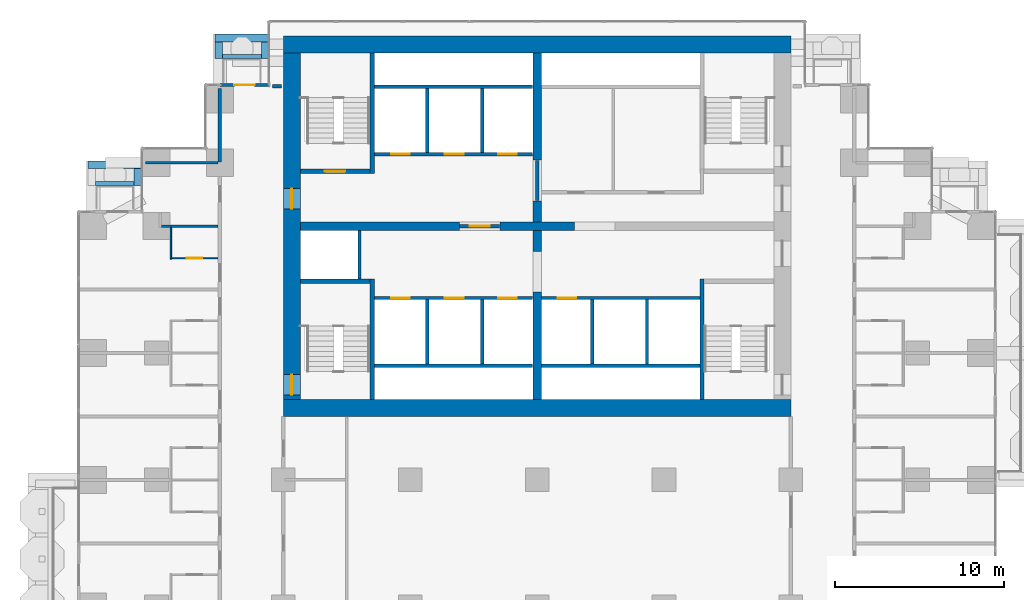
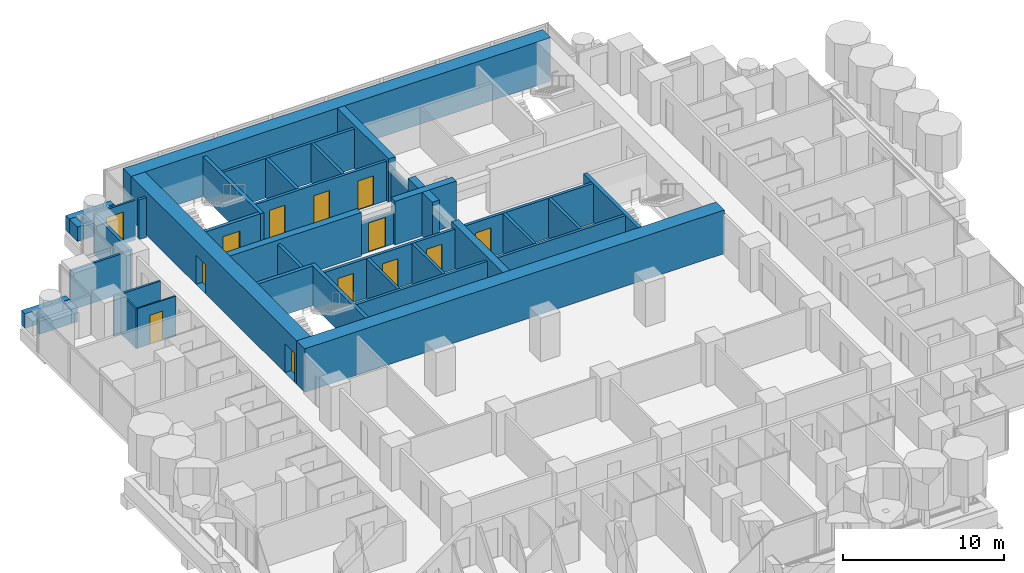
# One storey, part 14 of 19: 43 walls, 13 doors, 13 openings.
"""IFC4 building model written with IfcOpenShell, lengths in metres."""

from ifc_helpers import new_model, si_unit, direction, frame, frame_2d, origin, place, context, subcontext, project, spatial, rectangle, extrude, material, layer, layer_set, type_object, element, fill, save


model = new_model("IFC4")

# Units and contexts
model_context = context("Model", 3, precision=1e-05, world=origin(), true_north=direction((0.0, 1.0)))
body_context = subcontext(model_context, "Body", "Model", "MODEL_VIEW")
ifc_project = project(units=[si_unit("LENGTHUNIT", "METRE"), si_unit("AREAUNIT", "SQUARE_METRE"), si_unit("VOLUMEUNIT", "CUBIC_METRE"), si_unit("PLANEANGLEUNIT", "RADIAN"), si_unit("MASSUNIT", "GRAM", prefix="KILO")], contexts=[model_context])

# Site, building, storey
site_placement = place(None, origin())
site = spatial("IfcSite", under=ifc_project, at=site_placement, CompositionType="ELEMENT")
building_placement = place(site_placement, origin())
building = spatial("IfcBuilding", under=site, at=building_placement, Name="Pilkhan Gate Tower", CompositionType="ELEMENT")
storey_placement = place(building_placement, frame((0.0, 0.0, 46.10009765625)))
storey = spatial("IfcBuildingStorey", under=building, at=storey_placement, Name="L08", CompositionType="ELEMENT", Elevation=46.10009765625)

# Walls
ifc_material_1 = material(Name="Concrete C40/50", Category="concrete")
ifc_layer_1 = layer(ifc_material_1, 0.25)
ifc_layer_set_1 = layer_set([ifc_layer_1], Name="Balcony planter BP250")
wall_type_1 = type_object("IfcWallType", Name="Balcony planter BP250", PredefinedType="USERDEFINED", material=ifc_layer_set_1)
wall_1_placement = place(storey_placement, frame((56.39990234375, 92.52490234375, 0.0), z_axis=(0.0, 0.0, 1.0), x_axis=(1.0, 0.0, 0.0)))
element("IfcWall", 1, at=wall_1_placement, inside=storey, type_object=wall_type_1, Name="Balcony planter L08 N", ObjectType="BALCONY PLANTER", PredefinedType="USERDEFINED", context=body_context, shape_type="SweptSolid", body=[
    extrude(rectangle(XDim=2.300048828125, YDim=0.25, at=frame_2d((1.14990234375, 0.0))), origin(), (0.0, 0.0, 1.0), 1.0),
])
wall_2_placement = place(storey_placement, frame((48.89990234375, 85.02490234375, 0.0), z_axis=(0.0, 0.0, 1.0), x_axis=(1.0, 0.0, 0.0)))
element("IfcWall", 2, at=wall_2_placement, inside=storey, type_object=wall_type_1, Name="Balcony planter L08 N", ObjectType="BALCONY PLANTER", PredefinedType="USERDEFINED", context=body_context, shape_type="SweptSolid", body=[
    extrude(rectangle(XDim=2.280029296875, YDim=0.25, at=frame_2d((1.14013671875, 0.0))), origin(), (0.0, 0.0, 1.0), 1.0),
])
ifc_material_2 = material(Name="Board-marked Concrete C40/50", Category="concrete")
ifc_layer_2 = layer(ifc_material_2, 0.449951171875)
ifc_layer_set_2 = layer_set([ifc_layer_2], Name="Balcony planter lip BL450")
wall_type_2 = type_object("IfcWallType", Name="Balcony planter lip BL450", PredefinedType="USERDEFINED", material=ifc_layer_set_2)
wall_3_placement = place(storey_placement, frame((55.949951171875, 93.625, 0.0), z_axis=(0.0, 0.0, 1.0), x_axis=(1.0, 0.0, 0.0)))
element("IfcWall", 3, at=wall_3_placement, inside=storey, type_object=wall_type_2, Name="Balcony planter L08 N", ObjectType="BALCONY PLANTER", PredefinedType="USERDEFINED", context=body_context, shape_type="SweptSolid", body=[
    extrude(rectangle(XDim=3.199951171875, YDim=0.449951171875, at=frame_2d((1.60009765625, 0.0))), origin(), (0.0, 0.0, 1.0), 1.099853515625),
])
for number, where, z_axis, x_axis, name in (
    (4, (56.175048828125, 92.39990234375, 0.0), (0.0, 0.0, 1.0), (0.0, 1.0, 0.0), "Balcony planter L08 N"),
    (5, (58.925048828125, 92.39990234375, 0.0), (0.0, 0.0, 1.0), (0.0, 1.0, 0.0), "Balcony planter L08 N"),
):
    element("IfcWall", number, at=place(storey_placement, frame(where, z_axis=z_axis, x_axis=x_axis)), inside=storey, type_object=wall_type_2, Name=name, ObjectType="BALCONY PLANTER", PredefinedType="USERDEFINED", context=body_context, shape_type="SweptSolid", body=[
        extrude(rectangle(XDim=1.0, YDim=0.449951171875, at=frame_2d((0.5, 0.0))), origin(), (0.0, 0.0, 1.0), 1.099853515625),
    ])
wall_4_placement = place(storey_placement, frame((48.449951171875, 86.125, 0.0), z_axis=(0.0, 0.0, 1.0), x_axis=(1.0, 0.0, 0.0)))
element("IfcWall", 6, at=wall_4_placement, inside=storey, type_object=wall_type_2, Name="Balcony planter L08 N", ObjectType="BALCONY PLANTER", PredefinedType="USERDEFINED", context=body_context, shape_type="SweptSolid", body=[
    extrude(rectangle(XDim=3.179931640625, YDim=0.449951171875, at=frame_2d((1.58984375, 0.0))), origin(), (0.0, 0.0, 1.0), 1.099853515625),
])
wall_5_placement = place(storey_placement, frame((51.405029296875, 84.89990234375, 0.0), z_axis=(0.0, 0.0, 1.0), x_axis=(0.0, 1.0, 0.0)))
element("IfcWall", 7, at=wall_5_placement, inside=storey, type_object=wall_type_2, Name="Balcony planter L08 N", ObjectType="BALCONY PLANTER", PredefinedType="USERDEFINED", context=body_context, shape_type="SweptSolid", body=[
    extrude(rectangle(XDim=1.0, YDim=0.449951171875, at=frame_2d((0.5, 0.0))), origin(), (0.0, 0.0, 1.0), 1.099853515625),
])
ifc_material_3 = material(Name="Concrete C70/85", Category="concrete")
ifc_layer_3 = layer(ifc_material_3, 1.0)
ifc_layer_set_3 = layer_set([ifc_layer_3], Name="Core wall CW1000 C70/85")
wall_type_3 = type_object("IfcWallType", Name="Core wall CW1000 C70/85", PredefinedType="SHEAR", material=ifc_layer_set_3)
for number, where, z_axis, x_axis, name in (
    (8, (60.0, 71.75, 0.0), (0.0, 0.0, 1.0), (1.0, 0.0, 0.0), "Core wall S L08"),
    (9, (90.0, 93.25, 0.0), (0.0, 0.0, 1.0), (-1.0, 0.0, 0.0), "Core wall N L08"),
):
    element("IfcWall", number, at=place(storey_placement, frame(where, z_axis=z_axis, x_axis=x_axis)), inside=storey, type_object=wall_type_3, Name=name, PredefinedType="SHEAR", context=body_context, shape_type="SweptSolid", body=[
        extrude(rectangle(XDim=30.0, YDim=1.0, at=frame_2d((15.0, 0.0))), origin(), (0.0, 0.0, 1.0), 3.2998046875),
    ])

# Wall, openings, doors
wall_6_placement = place(storey_placement, frame((60.5, 92.75, 0.0), z_axis=(0.0, 0.0, 1.0), x_axis=(0.0, -1.0, 0.0)))
wall_6 = element("IfcWall", 10, at=wall_6_placement, inside=storey, type_object=wall_type_3, Name="Core wall W L08", PredefinedType="SHEAR", context=body_context, shape_type="SweptSolid", body=[
    extrude(rectangle(XDim=20.5, YDim=1.0, at=frame_2d((10.25, 0.0))), origin(), (0.0, 0.0, 1.0), 3.2998046875),
])
opening_1_placement = place(wall_6_placement, frame((19.02490234375, 0.0, 0.0)))
opening_1 = element("IfcOpeningElement", 11, at=opening_1_placement, cuts=wall_6, Name="Opening L08-04", PredefinedType="OPENING", context=body_context, shape_type="SweptSolid", body=[
    extrude(rectangle(XDim=1.199951171875, YDim=2.199951171875, at=frame_2d((0.60009765625, 1.10009765625))), frame((0.0, 0.510009765625, 0.0), z_axis=(0.0, -1.0, 0.0), x_axis=(1.0, 0.0, 0.0)), (0.0, 0.0, 1.0), 1.02001953125),
])
opening_2_placement = place(wall_6_placement, frame((8.02490234375, 0.0, 0.0)))
opening_2 = element("IfcOpeningElement", 12, at=opening_2_placement, cuts=wall_6, Name="Opening L08-59", PredefinedType="OPENING", context=body_context, shape_type="SweptSolid", body=[
    extrude(rectangle(XDim=1.199951171875, YDim=2.199951171875, at=frame_2d((0.60009765625, 1.10009765625))), frame((0.0, 0.510009765625, 0.0), z_axis=(0.0, -1.0, 0.0), x_axis=(1.0, 0.0, 0.0)), (0.0, 0.0, 1.0), 1.02001953125),
])
ifc_material_4 = material(Name="Steel door, 120 minute fire resisting, self-closing", Category="steel")
door_type_1 = type_object("IfcDoorType", Name="Firefighting lobby door D10 1200x2200", OperationType="SINGLE_SWING_LEFT", PredefinedType="DOOR", material=ifc_material_4)
door_1_placement = place(opening_2_placement, origin())
door_1 = element("IfcDoor", 13, at=door_1_placement, inside=storey, type_object=door_type_1, Name="Core door", OperationType="SINGLE_SWING_RIGHT", OverallHeight=2.199951171875, OverallWidth=1.199951171875, PredefinedType="DOOR", context=body_context, shape_type="SweptSolid", body=[
    extrude(rectangle(XDim=1.199951171875, YDim=2.199951171875, at=frame_2d((0.60009765625, 1.10009765625))), frame((0.0, 0.02490234375, 0.0), z_axis=(0.0, -1.0, 0.0), x_axis=(1.0, 0.0, 0.0)), (0.0, 0.0, 1.0), 0.050048828125),
])
fill(opening_2, door_1)
ifc_material_5 = material(Name="Steel door, 120 minute fire resisting, panic bar", Category="steel")
door_type_2 = type_object("IfcDoorType", Name="Stair door D11 1200x2200", OperationType="SINGLE_SWING_LEFT", PredefinedType="DOOR", material=ifc_material_5)
door_2_placement = place(opening_1_placement, origin())
door_2 = element("IfcDoor", 14, at=door_2_placement, inside=storey, type_object=door_type_2, Name="Stair ST2 door", OperationType="SINGLE_SWING_LEFT", OverallHeight=2.199951171875, OverallWidth=1.199951171875, PredefinedType="DOOR", context=body_context, shape_type="SweptSolid", body=[
    extrude(rectangle(XDim=1.199951171875, YDim=2.199951171875, at=frame_2d((0.60009765625, 1.10009765625))), frame((0.0, 0.02490234375, 0.0), z_axis=(0.0, -1.0, 0.0), x_axis=(1.0, 0.0, 0.0)), (0.0, 0.0, 1.0), 0.050048828125),
])
fill(opening_1, door_2)

# Walls
ifc_material_6 = material(Name="Dense blockwork", Category="masonry")
ifc_layer_4 = layer(ifc_material_6, 0.199951171875)
ifc_layer_set_4 = layer_set([ifc_layer_4], Name="Corridor wall FW200")
wall_type_4 = type_object("IfcWallType", Name="Corridor wall FW200", PredefinedType="PARTITIONING", material=ifc_layer_set_4)
wall_7_placement = place(storey_placement, frame((59.35498046875, 90.764892578125, 0.0), z_axis=(0.0, 0.0, 1.0), x_axis=(1.0, 0.0, 0.0)))
element("IfcWall", 15, at=wall_7_placement, inside=storey, type_object=wall_type_4, Name="Partition L08", PredefinedType="PARTITIONING", context=body_context, shape_type="SweptSolid", body=[
    extrude(rectangle(XDim=0.52490234375, YDim=0.199951171875, at=frame_2d((0.262451171875, 0.0))), origin(), (0.0, 0.0, 1.0), 3.0),
])
wall_8_placement = place(storey_placement, frame((56.25, 86.280029296875, 0.0), z_axis=(0.0, 0.0, 1.0), x_axis=(0.0, 1.0, 0.0)))
element("IfcWall", 16, at=wall_8_placement, inside=storey, type_object=wall_type_4, Name="Partition L08", PredefinedType="PARTITIONING", context=body_context, shape_type="SweptSolid", body=[
    extrude(rectangle(XDim=4.364990234375, YDim=0.199951171875, at=frame_2d((2.1826171875, 0.0))), origin(), (0.0, 0.0, 1.0), 3.0),
])

# Wall, opening, door
ifc_material_7 = material(Name="Pale anodised aluminium, clear laminated glazing", Category="aluminium")
ifc_layer_5 = layer(ifc_material_7, 0.14990234375)
ifc_layer_set_5 = layer_set([ifc_layer_5], Name="Facade infill wall IW150")
wall_type_5 = type_object("IfcWallType", Name="Facade infill wall IW150", PredefinedType="SOLIDWALL", material=ifc_layer_set_5)
wall_9_placement = place(storey_placement, frame((56.25, 90.844970703125, 0.0), z_axis=(0.0, 0.0, 1.0), x_axis=(1.0, 0.0, 0.0)))
wall_9 = element("IfcWall", 17, at=wall_9_placement, inside=storey, type_object=wall_type_5, Name="Infill wall L08 N", PredefinedType="SOLIDWALL", context=body_context, shape_type="SweptSolid", body=[
    extrude(rectangle(XDim=2.905029296875, YDim=0.14990234375, at=frame_2d((1.45263671875, 0.0))), origin(), (0.0, 0.0, 1.0), 3.0),
])
opening_3_placement = place(wall_9_placement, frame((0.8525390625, 0.0, 0.0)))
opening_3 = element("IfcOpeningElement", 18, at=opening_3_placement, cuts=wall_9, Name="Opening D1", PredefinedType="OPENING", context=body_context, shape_type="SweptSolid", body=[
    extrude(rectangle(XDim=1.199951171875, YDim=2.39990234375, at=frame_2d((0.60009765625, 1.199951171875))), frame((0.0, 0.0849609375, 0.0), z_axis=(0.0, -1.0, 0.0), x_axis=(1.0, 0.0, 0.0)), (0.0, 0.0, 1.0), 0.169921875),
])
ifc_material_8 = material(Name="Pale anodised aluminium, clear glazing", Category="aluminium")
door_type_3 = type_object("IfcDoorType", Name="Balcony door D1 1200x2400", OperationType="SINGLE_SWING_LEFT", PredefinedType="DOOR", material=ifc_material_8)
door_3_placement = place(opening_3_placement, origin())
door_3 = element("IfcDoor", 19, at=door_3_placement, inside=storey, type_object=door_type_3, Name="Balcony door L08", OperationType="SINGLE_SWING_LEFT", OverallHeight=2.39990234375, OverallWidth=1.199951171875, PredefinedType="DOOR", context=body_context, shape_type="SweptSolid", body=[
    extrude(rectangle(XDim=1.199951171875, YDim=2.39990234375, at=frame_2d((0.60009765625, 1.199951171875))), frame((0.0, 0.02490234375, 0.0), z_axis=(0.0, -1.0, 0.0), x_axis=(1.0, 0.0, 0.0)), (0.0, 0.0, 1.0), 0.050048828125),
])
fill(opening_3, door_3)

ifc_layer_6 = layer(ifc_material_6, 0.199951171875)
ifc_layer_set_6 = layer_set([ifc_layer_6], Name="Lobby wall LW200")
wall_type_6 = type_object("IfcWallType", Name="Lobby wall LW200", PredefinedType="PARTITIONING", material=ifc_layer_set_6)
wall_10_placement = place(storey_placement, frame((70.409912109375, 82.5, 0.0), z_axis=(0.0, 0.0, 1.0), x_axis=(1.0, 0.0, 0.0)))
wall_10 = element("IfcWall", 20, at=wall_10_placement, inside=storey, type_object=wall_type_6, Name="Partition L08", PredefinedType="PARTITIONING", context=body_context, shape_type="SweptSolid", body=[
    extrude(rectangle(XDim=2.380126953125, YDim=0.199951171875, at=frame_2d((1.18994140625, 0.0))), origin(), (0.0, 0.0, 1.0), 2.39990234375),
])
opening_4_placement = place(wall_10_placement, frame((0.60009765625, 0.0, 0.0)))
opening_4 = element("IfcOpeningElement", 21, at=opening_4_placement, cuts=wall_10, Name="Opening L08-01", PredefinedType="OPENING", context=body_context, shape_type="SweptSolid", body=[
    extrude(rectangle(XDim=1.199951171875, YDim=2.199951171875, at=frame_2d((0.60009765625, 1.10009765625))), frame((0.0, 0.10986328125, 0.0), z_axis=(0.0, -1.0, 0.0), x_axis=(1.0, 0.0, 0.0)), (0.0, 0.0, 1.0), 0.219970703125),
])
door_4_placement = place(opening_4_placement, origin())
door_4 = element("IfcDoor", 22, at=door_4_placement, inside=storey, type_object=door_type_1, Name="Firefighting lobby door", OperationType="SINGLE_SWING_LEFT", OverallHeight=2.199951171875, OverallWidth=1.199951171875, PredefinedType="DOOR", context=body_context, shape_type="SweptSolid", body=[
    extrude(rectangle(XDim=1.199951171875, YDim=2.199951171875, at=frame_2d((0.60009765625, 1.10009765625))), frame((0.0, 0.02490234375, 0.0), z_axis=(0.0, -1.0, 0.0), x_axis=(1.0, 0.0, 0.0)), (0.0, 0.0, 1.0), 0.050048828125),
])
fill(opening_4, door_4)

# Walls
wall_11_placement = place(storey_placement, frame((75.0, 84.010009765625, 0.0), z_axis=(0.0, 0.0, 1.0), x_axis=(0.0, 1.0, 0.0)))
element("IfcWall", 23, at=wall_11_placement, inside=storey, type_object=wall_type_6, Name="Partition L08", PredefinedType="PARTITIONING", context=body_context, shape_type="SweptSolid", body=[
    extrude(rectangle(XDim=2.3798828125, YDim=0.199951171875, at=frame_2d((1.18994140625, 0.0))), origin(), (0.0, 0.0, 1.0), 2.39990234375),
])
ifc_material_9 = material(Name="Blockwork partition, plastered both sides", Category="masonry")
ifc_layer_7 = layer(ifc_material_9, 0.14990234375)
ifc_layer_set_7 = layer_set([ifc_layer_7], Name="Partition PW150")
wall_type_7 = type_object("IfcWallType", Name="Partition PW150", PredefinedType="PARTITIONING", material=ifc_layer_set_7)
wall_12_placement = place(storey_placement, frame((52.81005859375, 82.5, 0.0), z_axis=(0.0, 0.0, 1.0), x_axis=(1.0, 0.0, 0.0)))
element("IfcWall", 24, at=wall_12_placement, inside=storey, type_object=wall_type_7, Name="Partition L08", PredefinedType="PARTITIONING", context=body_context, shape_type="SweptSolid", body=[
    extrude(rectangle(XDim=3.33984375, YDim=0.14990234375, at=frame_2d((1.669921875, 0.0))), origin(), (0.0, 0.0, 1.0), 3.0),
])
wall_13_placement = place(storey_placement, frame((51.85498046875, 86.25, 0.0), z_axis=(0.0, 0.0, 1.0), x_axis=(1.0, 0.0, 0.0)))
element("IfcWall", 25, at=wall_13_placement, inside=storey, type_object=wall_type_7, Name="Partition L08", PredefinedType="PARTITIONING", context=body_context, shape_type="SweptSolid", body=[
    extrude(rectangle(XDim=4.294921875, YDim=0.14990234375, at=frame_2d((2.1474609375, 0.0))), origin(), (0.0, 0.0, 1.0), 3.0),
])
ifc_material_10 = material(Name="Reinforced blockwork shaft wall, 120 minute fire resisting", Category="masonry")
ifc_layer_8 = layer(ifc_material_10, 0.199951171875)
ifc_layer_set_8 = layer_set([ifc_layer_8], Name="Shaft wall SW200")
wall_type_8 = type_object("IfcWallType", Name="Shaft wall SW200", PredefinedType="PARTITIONING", material=ifc_layer_set_8)
for number, where, z_axis, x_axis, name in (
    (26, (65.375, 74.25, 0.0), (0.0, 0.0, 1.0), (1.0, 0.0, 0.0), "Partition L08"),
    (27, (75.260009765625, 74.25, 0.0), (0.0, 0.0, 1.0), (1.0, 0.0, 0.0), "Partition L08"),
):
    element("IfcWall", number, at=place(storey_placement, frame(where, z_axis=z_axis, x_axis=x_axis)), inside=storey, type_object=wall_type_8, Name=name, PredefinedType="PARTITIONING", context=body_context, shape_type="SweptSolid", body=[
        extrude(rectangle(XDim=9.364990234375, YDim=0.199951171875, at=frame_2d((4.6826171875, 0.0))), origin(), (0.0, 0.0, 1.0), 3.0),
    ])

# Wall, openings, doors
wall_14_placement = place(storey_placement, frame((65.375, 78.25, 0.0), z_axis=(0.0, 0.0, 1.0), x_axis=(1.0, 0.0, 0.0)))
wall_14 = element("IfcWall", 28, at=wall_14_placement, inside=storey, type_object=wall_type_8, Name="Partition L08", PredefinedType="PARTITIONING", context=body_context, shape_type="SweptSolid", body=[
    extrude(rectangle(XDim=9.364990234375, YDim=0.199951171875, at=frame_2d((4.6826171875, 0.0))), origin(), (0.0, 0.0, 1.0), 3.0),
])
opening_5_placement = place(wall_14_placement, frame((1.0, 0.0, 0.0)))
opening_5 = element("IfcOpeningElement", 29, at=opening_5_placement, cuts=wall_14, Name="Opening LD", PredefinedType="OPENING", context=body_context, shape_type="SweptSolid", body=[
    extrude(rectangle(XDim=1.10009765625, YDim=2.199951171875, at=frame_2d((0.550048828125, 1.10009765625))), frame((0.0, 0.10986328125, 0.0), z_axis=(0.0, -1.0, 0.0), x_axis=(1.0, 0.0, 0.0)), (0.0, 0.0, 1.0), 0.219970703125),
])
opening_6_placement = place(wall_14_placement, frame((4.175048828125, 0.0, 0.0)))
opening_6 = element("IfcOpeningElement", 30, at=opening_6_placement, cuts=wall_14, Name="Opening LD", PredefinedType="OPENING", context=body_context, shape_type="SweptSolid", body=[
    extrude(rectangle(XDim=1.10009765625, YDim=2.199951171875, at=frame_2d((0.550048828125, 1.10009765625))), frame((0.0, 0.10986328125, 0.0), z_axis=(0.0, -1.0, 0.0), x_axis=(1.0, 0.0, 0.0)), (0.0, 0.0, 1.0), 0.219970703125),
])
opening_7_placement = place(wall_14_placement, frame((7.324951171875, 0.0, 0.0)))
opening_7 = element("IfcOpeningElement", 31, at=opening_7_placement, cuts=wall_14, Name="Opening LD", PredefinedType="OPENING", context=body_context, shape_type="SweptSolid", body=[
    extrude(rectangle(XDim=1.10009765625, YDim=2.199951171875, at=frame_2d((0.550048828125, 1.10009765625))), frame((0.0, 0.10986328125, 0.0), z_axis=(0.0, -1.0, 0.0), x_axis=(1.0, 0.0, 0.0)), (0.0, 0.0, 1.0), 0.219970703125),
])
ifc_material_11 = material(Name="Stainless steel centre-opening landing door, 120 minute fire resisting", Category="steel")
door_type_4 = type_object("IfcDoorType", Name="Lift landing door LD 1100x2200", OperationType="DOUBLE_DOOR_SLIDING", PredefinedType="DOOR", material=ifc_material_11)
door_5_placement = place(opening_5_placement, origin())
door_5 = element("IfcDoor", 32, at=door_5_placement, inside=storey, type_object=door_type_4, Name="Landing door LR1", OperationType="DOUBLE_DOOR_SLIDING", OverallHeight=2.199951171875, OverallWidth=1.10009765625, PredefinedType="DOOR", context=body_context, shape_type="SweptSolid", body=[
    extrude(rectangle(XDim=1.10009765625, YDim=2.199951171875, at=frame_2d((0.550048828125, 1.10009765625))), frame((0.0, 0.02490234375, 0.0), z_axis=(0.0, -1.0, 0.0), x_axis=(1.0, 0.0, 0.0)), (0.0, 0.0, 1.0), 0.050048828125),
])
fill(opening_5, door_5)
door_6_placement = place(opening_6_placement, origin())
door_6 = element("IfcDoor", 33, at=door_6_placement, inside=storey, type_object=door_type_4, Name="Landing door LR2", OperationType="DOUBLE_DOOR_SLIDING", OverallHeight=2.199951171875, OverallWidth=1.10009765625, PredefinedType="DOOR", context=body_context, shape_type="SweptSolid", body=[
    extrude(rectangle(XDim=1.10009765625, YDim=2.199951171875, at=frame_2d((0.550048828125, 1.10009765625))), frame((0.0, 0.02490234375, 0.0), z_axis=(0.0, -1.0, 0.0), x_axis=(1.0, 0.0, 0.0)), (0.0, 0.0, 1.0), 0.050048828125),
])
fill(opening_6, door_6)
door_7_placement = place(opening_7_placement, origin())
door_7 = element("IfcDoor", 34, at=door_7_placement, inside=storey, type_object=door_type_4, Name="Landing door LR3", OperationType="DOUBLE_DOOR_SLIDING", OverallHeight=2.199951171875, OverallWidth=1.10009765625, PredefinedType="DOOR", context=body_context, shape_type="SweptSolid", body=[
    extrude(rectangle(XDim=1.10009765625, YDim=2.199951171875, at=frame_2d((0.550048828125, 1.10009765625))), frame((0.0, 0.02490234375, 0.0), z_axis=(0.0, -1.0, 0.0), x_axis=(1.0, 0.0, 0.0)), (0.0, 0.0, 1.0), 0.050048828125),
])
fill(opening_7, door_7)

# Wall, opening, door
wall_15_placement = place(storey_placement, frame((75.260009765625, 78.25, 0.0), z_axis=(0.0, 0.0, 1.0), x_axis=(1.0, 0.0, 0.0)))
wall_15 = element("IfcWall", 35, at=wall_15_placement, inside=storey, type_object=wall_type_8, Name="Partition L08", PredefinedType="PARTITIONING", context=body_context, shape_type="SweptSolid", body=[
    extrude(rectangle(XDim=9.364990234375, YDim=0.199951171875, at=frame_2d((4.6826171875, 0.0))), origin(), (0.0, 0.0, 1.0), 3.0),
])
opening_8_placement = place(wall_15_placement, frame((0.949951171875, 0.0, 0.0)))
opening_8 = element("IfcOpeningElement", 36, at=opening_8_placement, cuts=wall_15, Name="Opening LD", PredefinedType="OPENING", context=body_context, shape_type="SweptSolid", body=[
    extrude(rectangle(XDim=1.10009765625, YDim=2.199951171875, at=frame_2d((0.550048828125, 1.10009765625))), frame((0.0, 0.10986328125, 0.0), z_axis=(0.0, -1.0, 0.0), x_axis=(1.0, 0.0, 0.0)), (0.0, 0.0, 1.0), 0.219970703125),
])
door_8_placement = place(opening_8_placement, origin())
door_8 = element("IfcDoor", 37, at=door_8_placement, inside=storey, type_object=door_type_4, Name="Landing door LR4", OperationType="DOUBLE_DOOR_SLIDING", OverallHeight=2.199951171875, OverallWidth=1.10009765625, PredefinedType="DOOR", context=body_context, shape_type="SweptSolid", body=[
    extrude(rectangle(XDim=1.10009765625, YDim=2.199951171875, at=frame_2d((0.550048828125, 1.10009765625))), frame((0.0, 0.02490234375, 0.0), z_axis=(0.0, -1.0, 0.0), x_axis=(1.0, 0.0, 0.0)), (0.0, 0.0, 1.0), 0.050048828125),
])
fill(opening_8, door_8)

# Wall, openings, doors
wall_16_placement = place(storey_placement, frame((65.375, 86.75, 0.0), z_axis=(0.0, 0.0, 1.0), x_axis=(1.0, 0.0, 0.0)))
wall_16 = element("IfcWall", 38, at=wall_16_placement, inside=storey, type_object=wall_type_8, Name="Partition L08", PredefinedType="PARTITIONING", context=body_context, shape_type="SweptSolid", body=[
    extrude(rectangle(XDim=9.364990234375, YDim=0.199951171875, at=frame_2d((4.6826171875, 0.0))), origin(), (0.0, 0.0, 1.0), 3.0),
])
opening_9_placement = place(wall_16_placement, frame((1.0, 0.0, 0.0)))
opening_9 = element("IfcOpeningElement", 39, at=opening_9_placement, cuts=wall_16, Name="Opening LD", PredefinedType="OPENING", context=body_context, shape_type="SweptSolid", body=[
    extrude(rectangle(XDim=1.10009765625, YDim=2.199951171875, at=frame_2d((0.550048828125, 1.10009765625))), frame((0.0, 0.10986328125, 0.0), z_axis=(0.0, -1.0, 0.0), x_axis=(1.0, 0.0, 0.0)), (0.0, 0.0, 1.0), 0.219970703125),
])
opening_10_placement = place(wall_16_placement, frame((4.175048828125, 0.0, 0.0)))
opening_10 = element("IfcOpeningElement", 40, at=opening_10_placement, cuts=wall_16, Name="Opening LD", PredefinedType="OPENING", context=body_context, shape_type="SweptSolid", body=[
    extrude(rectangle(XDim=1.10009765625, YDim=2.199951171875, at=frame_2d((0.550048828125, 1.10009765625))), frame((0.0, 0.10986328125, 0.0), z_axis=(0.0, -1.0, 0.0), x_axis=(1.0, 0.0, 0.0)), (0.0, 0.0, 1.0), 0.219970703125),
])
opening_11_placement = place(wall_16_placement, frame((7.324951171875, 0.0, 0.0)))
opening_11 = element("IfcOpeningElement", 41, at=opening_11_placement, cuts=wall_16, Name="Opening LD", PredefinedType="OPENING", context=body_context, shape_type="SweptSolid", body=[
    extrude(rectangle(XDim=1.10009765625, YDim=2.199951171875, at=frame_2d((0.550048828125, 1.10009765625))), frame((0.0, 0.10986328125, 0.0), z_axis=(0.0, -1.0, 0.0), x_axis=(1.0, 0.0, 0.0)), (0.0, 0.0, 1.0), 0.219970703125),
])
door_9_placement = place(opening_9_placement, origin())
door_9 = element("IfcDoor", 42, at=door_9_placement, inside=storey, type_object=door_type_4, Name="Landing door FF1", OperationType="DOUBLE_DOOR_SLIDING", OverallHeight=2.199951171875, OverallWidth=1.10009765625, PredefinedType="DOOR", context=body_context, shape_type="SweptSolid", body=[
    extrude(rectangle(XDim=1.10009765625, YDim=2.199951171875, at=frame_2d((0.550048828125, 1.10009765625))), frame((0.0, 0.02490234375, 0.0), z_axis=(0.0, -1.0, 0.0), x_axis=(1.0, 0.0, 0.0)), (0.0, 0.0, 1.0), 0.050048828125),
])
fill(opening_9, door_9)
door_10_placement = place(opening_10_placement, origin())
door_10 = element("IfcDoor", 43, at=door_10_placement, inside=storey, type_object=door_type_4, Name="Landing door FF2", OperationType="DOUBLE_DOOR_SLIDING", OverallHeight=2.199951171875, OverallWidth=1.10009765625, PredefinedType="DOOR", context=body_context, shape_type="SweptSolid", body=[
    extrude(rectangle(XDim=1.10009765625, YDim=2.199951171875, at=frame_2d((0.550048828125, 1.10009765625))), frame((0.0, 0.02490234375, 0.0), z_axis=(0.0, -1.0, 0.0), x_axis=(1.0, 0.0, 0.0)), (0.0, 0.0, 1.0), 0.050048828125),
])
fill(opening_10, door_10)
door_11_placement = place(opening_11_placement, origin())
door_11 = element("IfcDoor", 44, at=door_11_placement, inside=storey, type_object=door_type_4, Name="Landing door SV1", OperationType="DOUBLE_DOOR_SLIDING", OverallHeight=2.199951171875, OverallWidth=1.10009765625, PredefinedType="DOOR", context=body_context, shape_type="SweptSolid", body=[
    extrude(rectangle(XDim=1.10009765625, YDim=2.199951171875, at=frame_2d((0.550048828125, 1.10009765625))), frame((0.0, 0.02490234375, 0.0), z_axis=(0.0, -1.0, 0.0), x_axis=(1.0, 0.0, 0.0)), (0.0, 0.0, 1.0), 0.050048828125),
])
fill(opening_11, door_11)

# Walls
wall_17_placement = place(storey_placement, frame((65.375, 90.75, 0.0), z_axis=(0.0, 0.0, 1.0), x_axis=(1.0, 0.0, 0.0)))
element("IfcWall", 45, at=wall_17_placement, inside=storey, type_object=wall_type_8, Name="Partition L08", PredefinedType="PARTITIONING", context=body_context, shape_type="SweptSolid", body=[
    extrude(rectangle(XDim=9.364990234375, YDim=0.199951171875, at=frame_2d((4.6826171875, 0.0))), origin(), (0.0, 0.0, 1.0), 3.0),
])
wall_18_placement = place(storey_placement, frame((64.5, 79.375, 0.0), z_axis=(0.0, 0.0, 1.0), x_axis=(0.0, 1.0, 0.0)))
element("IfcWall", 46, at=wall_18_placement, inside=storey, type_object=wall_type_8, Name="Partition L08", PredefinedType="PARTITIONING", context=body_context, shape_type="SweptSolid", body=[
    extrude(rectangle(XDim=2.864990234375, YDim=0.199951171875, at=frame_2d((1.4326171875, 0.0))), origin(), (0.0, 0.0, 1.0), 3.0),
])
for number, where, z_axis, x_axis, name in (
    (47, (68.5, 74.35009765625, 0.0), (0.0, 0.0, 1.0), (0.0, 1.0, 0.0), "Partition L08"),
    (48, (68.5, 86.85009765625, 0.0), (0.0, 0.0, 1.0), (0.0, 1.0, 0.0), "Partition L08"),
    (49, (71.75, 74.35009765625, 0.0), (0.0, 0.0, 1.0), (0.0, 1.0, 0.0), "Partition L08"),
    (50, (71.75, 86.85009765625, 0.0), (0.0, 0.0, 1.0), (0.0, 1.0, 0.0), "Partition L08"),
    (51, (78.25, 74.35009765625, 0.0), (0.0, 0.0, 1.0), (0.0, 1.0, 0.0), "Partition L08"),
    (52, (81.5, 74.35009765625, 0.0), (0.0, 0.0, 1.0), (0.0, 1.0, 0.0), "Partition L08"),
):
    element("IfcWall", number, at=place(storey_placement, frame(where, z_axis=z_axis, x_axis=x_axis)), inside=storey, type_object=wall_type_8, Name=name, PredefinedType="PARTITIONING", context=body_context, shape_type="SweptSolid", body=[
        extrude(rectangle(XDim=3.7998046875, YDim=0.199951171875, at=frame_2d((1.89990234375, 0.0))), origin(), (0.0, 0.0, 1.0), 3.0),
    ])
ifc_layer_9 = layer(ifc_material_3, 0.5)
ifc_layer_set_9 = layer_set([ifc_layer_9], Name="Spine wall SW500 C70/85")
wall_type_9 = type_object("IfcWallType", Name="Spine wall SW500 C70/85", PredefinedType="SHEAR", material=ifc_layer_set_9)
wall_19_placement = place(storey_placement, frame((61.0, 82.5, 0.0), z_axis=(0.0, 0.0, 1.0), x_axis=(1.0, 0.0, 0.0)))
element("IfcWall", 53, at=wall_19_placement, inside=storey, type_object=wall_type_9, Name="Spine wall SP-EW1 L08", PredefinedType="SHEAR", context=body_context, shape_type="SweptSolid", body=[
    extrude(rectangle(XDim=9.39990234375, YDim=0.5, at=frame_2d((4.699951171875, 0.0))), origin(), (0.0, 0.0, 1.0), 3.2998046875),
])
wall_20_placement = place(storey_placement, frame((72.800048828125, 82.5, 0.0), z_axis=(0.0, 0.0, 1.0), x_axis=(1.0, 0.0, 0.0)))
element("IfcWall", 54, at=wall_20_placement, inside=storey, type_object=wall_type_9, Name="Spine wall SP-EW2 L08", PredefinedType="SHEAR", context=body_context, shape_type="SweptSolid", body=[
    extrude(rectangle(XDim=4.39990234375, YDim=0.5, at=frame_2d((2.199951171875, 0.0))), origin(), (0.0, 0.0, 1.0), 3.2998046875),
])
wall_21_placement = place(storey_placement, frame((75.0, 72.25, 0.0), z_axis=(0.0, 0.0, 1.0), x_axis=(0.0, 1.0, 0.0)))
element("IfcWall", 55, at=wall_21_placement, inside=storey, type_object=wall_type_9, Name="Spine wall SP-NS-S1 L08", PredefinedType="SHEAR", context=body_context, shape_type="SweptSolid", body=[
    extrude(rectangle(XDim=6.35009765625, YDim=0.5, at=frame_2d((3.175048828125, 0.0))), origin(), (0.0, 0.0, 1.0), 3.2998046875),
])
for number, where, z_axis, x_axis, name in (
    (56, (75.0, 81.0, 0.0), (0.0, 0.0, 1.0), (0.0, 1.0, 0.0), "Spine wall SP-NS-S2 L08"),
    (57, (75.0, 82.75, 0.0), (0.0, 0.0, 1.0), (0.0, 1.0, 0.0), "Spine wall SP-NS-N1 L08"),
):
    element("IfcWall", number, at=place(storey_placement, frame(where, z_axis=z_axis, x_axis=x_axis)), inside=storey, type_object=wall_type_9, Name=name, PredefinedType="SHEAR", context=body_context, shape_type="SweptSolid", body=[
        extrude(rectangle(XDim=1.25, YDim=0.5, at=frame_2d((0.625, 0.0))), origin(), (0.0, 0.0, 1.0), 3.2998046875),
    ])
wall_22_placement = place(storey_placement, frame((75.0, 86.39990234375, 0.0), z_axis=(0.0, 0.0, 1.0), x_axis=(0.0, 1.0, 0.0)))
element("IfcWall", 58, at=wall_22_placement, inside=storey, type_object=wall_type_9, Name="Spine wall SP-NS-N2 L08", PredefinedType="SHEAR", context=body_context, shape_type="SweptSolid", body=[
    extrude(rectangle(XDim=6.35009765625, YDim=0.5, at=frame_2d((3.175048828125, 0.0))), origin(), (0.0, 0.0, 1.0), 3.2998046875),
])
ifc_material_12 = material(Name="Reinforced blockwork, 120 minute fire resisting", Category="masonry")
ifc_layer_10 = layer(ifc_material_12, 0.25)
ifc_layer_set_10 = layer_set([ifc_layer_10], Name="Stair enclosure wall SE250")
wall_type_10 = type_object("IfcWallType", Name="Stair enclosure wall SE250", PredefinedType="PARTITIONING", material=ifc_layer_set_10)
wall_23_placement = place(storey_placement, frame((61.010009765625, 79.25, 0.0), z_axis=(0.0, 0.0, 1.0), x_axis=(1.0, 0.0, 0.0)))
element("IfcWall", 59, at=wall_23_placement, inside=storey, type_object=wall_type_10, Name="Partition L08", PredefinedType="PARTITIONING", context=body_context, shape_type="SweptSolid", body=[
    extrude(rectangle(XDim=4.114990234375, YDim=0.25, at=frame_2d((2.0576171875, 0.0))), origin(), (0.0, 0.0, 1.0), 3.0),
])

# Wall, opening, door
wall_24_placement = place(storey_placement, frame((61.010009765625, 85.75, 0.0), z_axis=(0.0, 0.0, 1.0), x_axis=(1.0, 0.0, 0.0)))
wall_24 = element("IfcWall", 60, at=wall_24_placement, inside=storey, type_object=wall_type_10, Name="Partition L08", PredefinedType="PARTITIONING", context=body_context, shape_type="SweptSolid", body=[
    extrude(rectangle(XDim=4.114990234375, YDim=0.25, at=frame_2d((2.0576171875, 0.0))), origin(), (0.0, 0.0, 1.0), 3.0),
])
opening_12_placement = place(wall_24_placement, frame((1.449951171875, 0.0, 0.0)))
opening_12 = element("IfcOpeningElement", 61, at=opening_12_placement, cuts=wall_24, Name="Opening L08-02", PredefinedType="OPENING", context=body_context, shape_type="SweptSolid", body=[
    extrude(rectangle(XDim=1.199951171875, YDim=2.199951171875, at=frame_2d((0.60009765625, 1.10009765625))), frame((0.0, 0.135009765625, 0.0), z_axis=(0.0, -1.0, 0.0), x_axis=(1.0, 0.0, 0.0)), (0.0, 0.0, 1.0), 0.27001953125),
])
door_12_placement = place(opening_12_placement, origin())
door_12 = element("IfcDoor", 62, at=door_12_placement, inside=storey, type_object=door_type_2, Name="Stair ST3 lobby door", OperationType="SINGLE_SWING_LEFT", OverallHeight=2.199951171875, OverallWidth=1.199951171875, PredefinedType="DOOR", context=body_context, shape_type="SweptSolid", body=[
    extrude(rectangle(XDim=1.199951171875, YDim=2.199951171875, at=frame_2d((0.60009765625, 1.10009765625))), frame((0.0, 0.02490234375, 0.0), z_axis=(0.0, -1.0, 0.0), x_axis=(1.0, 0.0, 0.0)), (0.0, 0.0, 1.0), 0.050048828125),
])
fill(opening_12, door_12)

# Walls
for number, where, z_axis, x_axis, name in (
    (63, (65.25, 72.260009765625, 0.0), (0.0, 0.0, 1.0), (0.0, 1.0, 0.0), "Partition L08"),
    (64, (65.25, 85.625, 0.0), (0.0, 0.0, 1.0), (0.0, 1.0, 0.0), "Partition L08"),
    (65, (84.75, 72.260009765625, 0.0), (0.0, 0.0, 1.0), (0.0, 1.0, 0.0), "Partition L08"),
):
    element("IfcWall", number, at=place(storey_placement, frame(where, z_axis=z_axis, x_axis=x_axis)), inside=storey, type_object=wall_type_10, Name=name, PredefinedType="PARTITIONING", context=body_context, shape_type="SweptSolid", body=[
        extrude(rectangle(XDim=7.114990234375, YDim=0.25, at=frame_2d((3.5576171875, 0.0))), origin(), (0.0, 0.0, 1.0), 3.0),
    ])

# Wall, opening, door
ifc_material_13 = material(Name="Moisture resistant board, tiled")
ifc_layer_11 = layer(ifc_material_13, 0.10009765625)
ifc_layer_set_11 = layer_set([ifc_layer_11], Name="Wet wall PW100")
wall_type_11 = type_object("IfcWallType", Name="Wet wall PW100", PredefinedType="PARTITIONING", material=ifc_layer_set_11)
wall_25_placement = place(storey_placement, frame((53.39990234375, 80.60009765625, 0.0), z_axis=(0.0, 0.0, 1.0), x_axis=(1.0, 0.0, 0.0)))
wall_25 = element("IfcWall", 66, at=wall_25_placement, inside=storey, type_object=wall_type_11, Name="Partition L08", PredefinedType="PARTITIONING", context=body_context, shape_type="SweptSolid", body=[
    extrude(rectangle(XDim=2.75, YDim=0.10009765625, at=frame_2d((1.375, 0.0))), origin(), (0.0, 0.0, 1.0), 3.0),
])
opening_13_placement = place(wall_25_placement, frame((0.89990234375, 0.0, 0.0)))
opening_13 = element("IfcOpeningElement", 67, at=opening_13_placement, cuts=wall_25, Name="Opening L08-41", PredefinedType="OPENING", context=body_context, shape_type="SweptSolid", body=[
    extrude(rectangle(XDim=0.89990234375, YDim=2.199951171875, at=frame_2d((0.449951171875, 1.10009765625))), frame((0.0, 0.06005859375, 0.0), z_axis=(0.0, -1.0, 0.0), x_axis=(1.0, 0.0, 0.0)), (0.0, 0.0, 1.0), 0.1201171875),
])
ifc_material_14 = material(Name="Timber flush door", Category="wood")
door_type_5 = type_object("IfcDoorType", Name="Bathroom door D02 900x2200", OperationType="SINGLE_SWING_RIGHT", PredefinedType="DOOR", material=ifc_material_14)
door_13_placement = place(opening_13_placement, origin())
door_13 = element("IfcDoor", 68, at=door_13_placement, inside=storey, type_object=door_type_5, Name="Bathroom door", OperationType="SINGLE_SWING_RIGHT", OverallHeight=2.199951171875, OverallWidth=0.89990234375, PredefinedType="DOOR", context=body_context, shape_type="SweptSolid", body=[
    extrude(rectangle(XDim=0.89990234375, YDim=2.199951171875, at=frame_2d((0.449951171875, 1.10009765625))), frame((0.0, 0.02490234375, 0.0), z_axis=(0.0, -1.0, 0.0), x_axis=(1.0, 0.0, 0.0)), (0.0, 0.0, 1.0), 0.050048828125),
])
fill(opening_13, door_13)

# Wall
wall_26_placement = place(storey_placement, frame((53.35009765625, 80.550048828125, 0.0), z_axis=(0.0, 0.0, 1.0), x_axis=(0.0, 1.0, 0.0)))
element("IfcWall", 69, at=wall_26_placement, inside=storey, type_object=wall_type_11, Name="Partition L08", PredefinedType="PARTITIONING", context=body_context, shape_type="SweptSolid", body=[
    extrude(rectangle(XDim=1.875, YDim=0.10009765625, at=frame_2d((0.9375, 0.0))), origin(), (0.0, 0.0, 1.0), 3.0),
])

save(model, "model.ifc")
